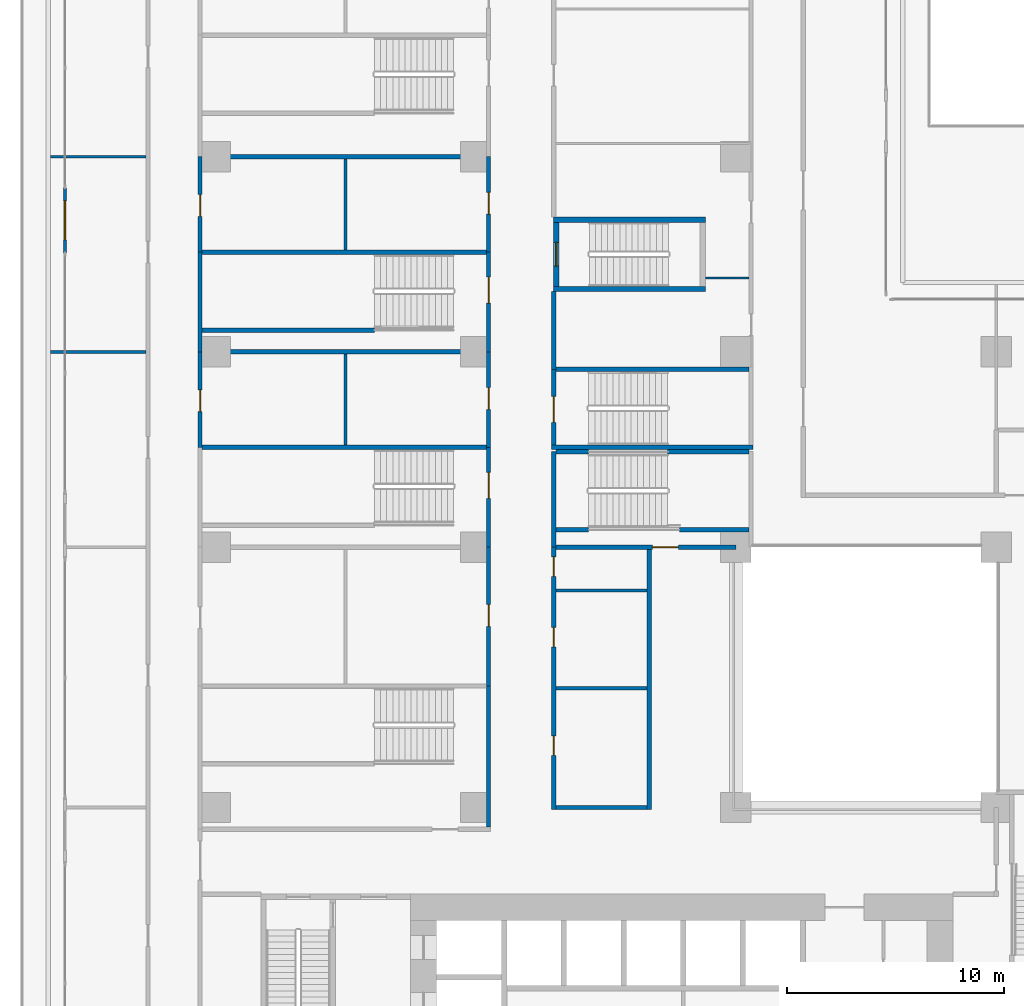
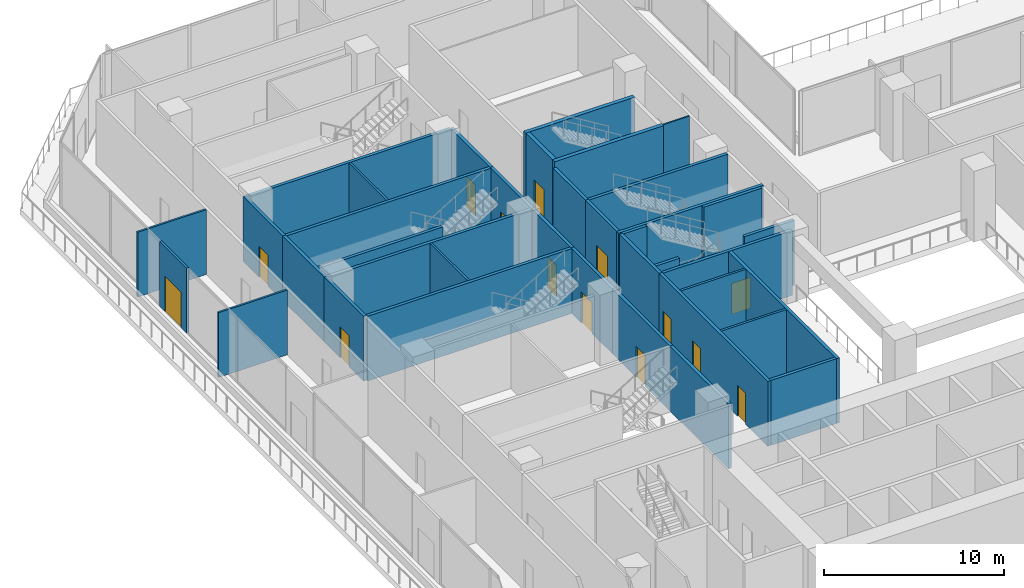
# One storey, part 14 of 25: 38 walls, 14 doors, 14 openings.
"""IFC4 building model written with IfcOpenShell, lengths in metres."""

from ifc_helpers import new_model, si_unit, direction, frame, frame_2d, origin, place, context, subcontext, project, spatial, rectangle, extrude, material, layer, layer_set, type_object, element, fill, save


model = new_model("IFC4")

# Units and contexts
model_context = context("Model", 3, precision=1e-05, world=origin(), true_north=direction((0.0, 1.0)))
body_context = subcontext(model_context, "Body", "Model", "MODEL_VIEW")
ifc_project = project(units=[si_unit("LENGTHUNIT", "METRE"), si_unit("AREAUNIT", "SQUARE_METRE"), si_unit("VOLUMEUNIT", "CUBIC_METRE"), si_unit("PLANEANGLEUNIT", "RADIAN"), si_unit("MASSUNIT", "GRAM", prefix="KILO")], contexts=[model_context])

# Site, building, storey
site_placement = place(None, origin())
site = spatial("IfcSite", under=ifc_project, at=site_placement, CompositionType="ELEMENT")
building_placement = place(site_placement, origin())
building = spatial("IfcBuilding", under=site, at=building_placement, Name="Chenar Terraces", CompositionType="ELEMENT")
storey_placement = place(building_placement, frame((0.0, 0.0, 21.60009765625)))
storey = spatial("IfcBuildingStorey", under=building, at=storey_placement, Name="L04", CompositionType="ELEMENT", Elevation=21.60009765625)

# Walls
ifc_material_1 = material(Name="Gypsum board on steel studs with mineral wool", Category="steel")
ifc_layer_1 = layer(ifc_material_1, 0.125)
ifc_layer_set_1 = layer_set([ifc_layer_1], Name="Gypsum board on steel studs with mineral wool")
wall_type_1 = type_object("IfcWallType", Name="Acoustic partition 125", PredefinedType="PARTITIONING", material=ifc_layer_set_1)
for number, where, z_axis, x_axis, name in (
    (1, (-7.60009765625, 45.0, 0.0), (0.0, 0.0, 1.0), (1.0, 0.0, 0.0), "Partition L04-001"),
    (2, (-7.60009765625, 54.0, 0.0), (0.0, 0.0, 1.0), (1.0, 0.0, 0.0), "Partition L04-002"),
):
    element("IfcWall", number, at=place(storey_placement, frame(where, z_axis=z_axis, x_axis=x_axis)), inside=storey, type_object=wall_type_1, Name=name, PredefinedType="PARTITIONING", context=body_context, shape_type="SweptSolid", body=[
        extrude(rectangle(XDim=4.400146484375, YDim=0.125, at=frame_2d((2.2001953125, 0.0))), origin(), (0.0, 0.0, 1.0), 4.39990234375),
    ])
for number, where, z_axis, x_axis, name in (
    (3, (6.0, 40.699951171875, 0.0), (0.0, 0.0, 1.0), (0.0, 1.0, 0.0), "Partition L04-032"),
    (4, (6.0, 49.699951171875, 0.0), (0.0, 0.0, 1.0), (0.0, 1.0, 0.0), "Partition L04-033"),
):
    element("IfcWall", number, at=place(storey_placement, frame(where, z_axis=z_axis, x_axis=x_axis)), inside=storey, type_object=wall_type_1, Name=name, PredefinedType="PARTITIONING", context=body_context, shape_type="SweptSolid", body=[
        extrude(rectangle(XDim=4.199951171875, YDim=0.125, at=frame_2d((2.10009765625, 0.0))), origin(), (0.0, 0.0, 1.0), 4.39990234375),
    ])
ifc_material_2 = material(Name="Concrete C70/85", Category="concrete")
ifc_layer_2 = layer(ifc_material_2, 0.25)
ifc_layer_set_2 = layer_set([ifc_layer_2], Name="Concrete C70/85")
wall_type_2 = type_object("IfcWallType", Name="Core wall 250 Concrete C70/85", PredefinedType="SHEAR", material=ifc_layer_set_2)
for number, where, z_axis, x_axis, name in (
    (5, (15.60009765625, 47.89990234375, 0.0), (0.0, 0.0, 1.0), (1.0, 0.0, 0.0), "Core wall ST4_S L04"),
    (6, (15.60009765625, 51.10009765625, 0.0), (0.0, 0.0, 1.0), (1.0, 0.0, 0.0), "Core wall ST4_N L04"),
):
    element("IfcWall", number, at=place(storey_placement, frame(where, z_axis=z_axis, x_axis=x_axis)), inside=storey, type_object=wall_type_2, Name=name, PredefinedType="SHEAR", context=body_context, shape_type="SweptSolid", body=[
        extrude(rectangle(XDim=7.0, YDim=0.25, at=frame_2d((3.5, 0.0))), origin(), (0.0, 0.0, 1.0), 4.7998046875),
    ])

# Wall, opening, door
wall_1_placement = place(storey_placement, frame((15.72509765625, 48.02490234375, 0.0), z_axis=(0.0, 0.0, 1.0), x_axis=(0.0, 1.0, 0.0)))
wall_1 = element("IfcWall", 7, at=wall_1_placement, inside=storey, type_object=wall_type_2, Name="Core wall ST4_W L04", PredefinedType="SHEAR", context=body_context, shape_type="SweptSolid", body=[
    extrude(rectangle(XDim=2.9501953125, YDim=0.25, at=frame_2d((1.47509765625, 0.0))), origin(), (0.0, 0.0, 1.0), 4.7998046875),
])
opening_1_placement = place(wall_1_placement, frame((0.925048828125, 0.0, 0.0)))
opening_1 = element("IfcOpeningElement", 8, at=opening_1_placement, cuts=wall_1, Name="Opening DL04-C9", PredefinedType="OPENING", context=body_context, shape_type="SweptSolid", body=[
    extrude(rectangle(XDim=1.10009765625, YDim=2.199951171875, at=frame_2d((0.550048828125, 1.10009765625))), frame((0.0, 0.135009765625, 0.0), z_axis=(0.0, -1.0, 0.0), x_axis=(1.0, 0.0, 0.0)), (0.0, 0.0, 1.0), 0.27001953125),
])
ifc_material_3 = material(Name="Steel-framed fire-resisting door leaf", Category="steel")
door_type_1 = type_object("IfcDoorType", Name="Stair fire door FD60 1100 x 2200", OperationType="SINGLE_SWING_LEFT", PredefinedType="DOOR", material=ifc_material_3)
door_1_placement = place(opening_1_placement, frame((1.10009765625, 0.0, 0.0), z_axis=(0.0, 0.0, 1.0), x_axis=(-1.0, 0.0, 0.0)))
door_1 = element("IfcDoor", 9, at=door_1_placement, inside=storey, type_object=door_type_1, Name="Stair door DL04-C9", OperationType="SINGLE_SWING_RIGHT", OverallHeight=2.199951171875, OverallWidth=1.10009765625, PredefinedType="DOOR", context=body_context, shape_type="SweptSolid", body=[
    extrude(rectangle(XDim=1.10009765625, YDim=2.199951171875, at=frame_2d((0.550048828125, 1.10009765625))), frame((0.0, 0.02490234375, 0.0), z_axis=(0.0, -1.0, 0.0), x_axis=(1.0, 0.0, 0.0)), (0.0, 0.0, 1.0), 0.050048828125),
])
fill(opening_1, door_1)

ifc_material_4 = material(Name="Gypsum board on steel studs with fire boards", Category="steel")
ifc_layer_3 = layer(ifc_material_4, 0.199951171875)
ifc_layer_set_3 = layer_set([ifc_layer_3], Name="Gypsum board on steel studs with fire boards")
wall_type_3 = type_object("IfcWallType", Name="Corridor wall 200", PredefinedType="PARTITIONING", material=ifc_layer_set_3)
wall_2_placement = place(storey_placement, frame((-0.699951171875, 40.60009765625, 0.0), z_axis=(0.0, 0.0, 1.0), x_axis=(0.0, 1.0, 0.0)))
wall_2 = element("IfcWall", 10, at=wall_2_placement, inside=storey, type_object=wall_type_3, Name="Partition L04-011", PredefinedType="PARTITIONING", context=body_context, shape_type="SweptSolid", body=[
    extrude(rectangle(XDim=4.39990234375, YDim=0.199951171875, at=frame_2d((2.199951171875, 0.0))), origin(), (0.0, 0.0, 1.0), 4.39990234375),
])
opening_2_placement = place(wall_2_placement, frame((1.64990234375, 0.0, 0.0)))
opening_2 = element("IfcOpeningElement", 11, at=opening_2_placement, cuts=wall_2, Name="Opening DL04-28", PredefinedType="OPENING", context=body_context, shape_type="SweptSolid", body=[
    extrude(rectangle(XDim=1.0, YDim=2.10009765625, at=frame_2d((0.5, 1.050048828125))), frame((0.0, 0.10986328125, 0.0), z_axis=(0.0, -1.0, 0.0), x_axis=(1.0, 0.0, 0.0)), (0.0, 0.0, 1.0), 0.219970703125),
])
ifc_material_5 = material(Name="Steel-framed fire-resisting door leaf", Category="steel")
door_type_2 = type_object("IfcDoorType", Name="Fire door FD60 1000 x 2100", OperationType="SINGLE_SWING_LEFT", PredefinedType="DOOR", material=ifc_material_5)
door_2_placement = place(opening_2_placement, frame((1.0, 0.0, 0.0), z_axis=(0.0, 0.0, 1.0), x_axis=(-1.0, 0.0, 0.0)))
door_2 = element("IfcDoor", 12, at=door_2_placement, inside=storey, type_object=door_type_2, Name="Door DL04-28", OperationType="SINGLE_SWING_LEFT", OverallHeight=2.10009765625, OverallWidth=1.0, PredefinedType="DOOR", context=body_context, shape_type="SweptSolid", body=[
    extrude(rectangle(XDim=1.0, YDim=2.10009765625, at=frame_2d((0.5, 1.050048828125))), frame((0.0, 0.02490234375, 0.0), z_axis=(0.0, -1.0, 0.0), x_axis=(1.0, 0.0, 0.0)), (0.0, 0.0, 1.0), 0.050048828125),
])
fill(opening_2, door_2)

wall_3_placement = place(storey_placement, frame((-0.699951171875, 49.60009765625, 0.0), z_axis=(0.0, 0.0, 1.0), x_axis=(0.0, 1.0, 0.0)))
wall_3 = element("IfcWall", 13, at=wall_3_placement, inside=storey, type_object=wall_type_3, Name="Partition L04-013", PredefinedType="PARTITIONING", context=body_context, shape_type="SweptSolid", body=[
    extrude(rectangle(XDim=4.39990234375, YDim=0.199951171875, at=frame_2d((2.199951171875, 0.0))), origin(), (0.0, 0.0, 1.0), 4.39990234375),
])
opening_3_placement = place(wall_3_placement, frame((1.64990234375, 0.0, 0.0)))
opening_3 = element("IfcOpeningElement", 14, at=opening_3_placement, cuts=wall_3, Name="Opening DL04-29", PredefinedType="OPENING", context=body_context, shape_type="SweptSolid", body=[
    extrude(rectangle(XDim=1.0, YDim=2.10009765625, at=frame_2d((0.5, 1.050048828125))), frame((0.0, 0.10986328125, 0.0), z_axis=(0.0, -1.0, 0.0), x_axis=(1.0, 0.0, 0.0)), (0.0, 0.0, 1.0), 0.219970703125),
])
door_3_placement = place(opening_3_placement, frame((1.0, 0.0, 0.0), z_axis=(0.0, 0.0, 1.0), x_axis=(-1.0, 0.0, 0.0)))
door_3 = element("IfcDoor", 15, at=door_3_placement, inside=storey, type_object=door_type_2, Name="Door DL04-29", OperationType="SINGLE_SWING_LEFT", OverallHeight=2.10009765625, OverallWidth=1.0, PredefinedType="DOOR", context=body_context, shape_type="SweptSolid", body=[
    extrude(rectangle(XDim=1.0, YDim=2.10009765625, at=frame_2d((0.5, 1.050048828125))), frame((0.0, 0.02490234375, 0.0), z_axis=(0.0, -1.0, 0.0), x_axis=(1.0, 0.0, 0.0)), (0.0, 0.0, 1.0), 0.050048828125),
])
fill(opening_3, door_3)

wall_4_placement = place(storey_placement, frame((12.60009765625, 29.60009765625, 0.0), z_axis=(0.0, 0.0, 1.0), x_axis=(0.0, 1.0, 0.0)))
wall_4 = element("IfcWall", 16, at=wall_4_placement, inside=storey, type_object=wall_type_3, Name="Partition L04-039", PredefinedType="PARTITIONING", context=body_context, shape_type="SweptSolid", body=[
    extrude(rectangle(XDim=6.39990234375, YDim=0.199951171875, at=frame_2d((3.199951171875, 0.0))), origin(), (0.0, 0.0, 1.0), 4.39990234375),
])
opening_4_placement = place(wall_4_placement, frame((2.75, 0.0, 0.0)))
opening_4 = element("IfcOpeningElement", 17, at=opening_4_placement, cuts=wall_4, Name="Opening DL04-12", PredefinedType="OPENING", context=body_context, shape_type="SweptSolid", body=[
    extrude(rectangle(XDim=1.0, YDim=2.10009765625, at=frame_2d((0.5, 1.050048828125))), frame((0.0, 0.10986328125, 0.0), z_axis=(0.0, -1.0, 0.0), x_axis=(1.0, 0.0, 0.0)), (0.0, 0.0, 1.0), 0.219970703125),
])
door_4_placement = place(opening_4_placement, origin())
door_4 = element("IfcDoor", 18, at=door_4_placement, inside=storey, type_object=door_type_2, Name="Door DL04-12", OperationType="SINGLE_SWING_RIGHT", OverallHeight=2.10009765625, OverallWidth=1.0, PredefinedType="DOOR", context=body_context, shape_type="SweptSolid", body=[
    extrude(rectangle(XDim=1.0, YDim=2.10009765625, at=frame_2d((0.5, 1.050048828125))), frame((0.0, 0.02490234375, 0.0), z_axis=(0.0, -1.0, 0.0), x_axis=(1.0, 0.0, 0.0)), (0.0, 0.0, 1.0), 0.050048828125),
])
fill(opening_4, door_4)

wall_5_placement = place(storey_placement, frame((12.60009765625, 40.60009765625, 0.0), z_axis=(0.0, 0.0, 1.0), x_axis=(0.0, 1.0, 0.0)))
wall_5 = element("IfcWall", 19, at=wall_5_placement, inside=storey, type_object=wall_type_3, Name="Partition L04-041", PredefinedType="PARTITIONING", context=body_context, shape_type="SweptSolid", body=[
    extrude(rectangle(XDim=4.39990234375, YDim=0.199951171875, at=frame_2d((2.199951171875, 0.0))), origin(), (0.0, 0.0, 1.0), 4.39990234375),
])
opening_5_placement = place(wall_5_placement, frame((1.75, 0.0, 0.0)))
opening_5 = element("IfcOpeningElement", 20, at=opening_5_placement, cuts=wall_5, Name="Opening DL04-13", PredefinedType="OPENING", context=body_context, shape_type="SweptSolid", body=[
    extrude(rectangle(XDim=1.0, YDim=2.10009765625, at=frame_2d((0.5, 1.050048828125))), frame((0.0, 0.10986328125, 0.0), z_axis=(0.0, -1.0, 0.0), x_axis=(1.0, 0.0, 0.0)), (0.0, 0.0, 1.0), 0.219970703125),
])
door_5_placement = place(opening_5_placement, origin())
door_5 = element("IfcDoor", 21, at=door_5_placement, inside=storey, type_object=door_type_2, Name="Door DL04-13", OperationType="SINGLE_SWING_RIGHT", OverallHeight=2.10009765625, OverallWidth=1.0, PredefinedType="DOOR", context=body_context, shape_type="SweptSolid", body=[
    extrude(rectangle(XDim=1.0, YDim=2.10009765625, at=frame_2d((0.5, 1.050048828125))), frame((0.0, 0.02490234375, 0.0), z_axis=(0.0, -1.0, 0.0), x_axis=(1.0, 0.0, 0.0)), (0.0, 0.0, 1.0), 0.050048828125),
])
fill(opening_5, door_5)

wall_6_placement = place(storey_placement, frame((12.60009765625, 49.60009765625, 0.0), z_axis=(0.0, 0.0, 1.0), x_axis=(0.0, 1.0, 0.0)))
wall_6 = element("IfcWall", 22, at=wall_6_placement, inside=storey, type_object=wall_type_3, Name="Partition L04-043", PredefinedType="PARTITIONING", context=body_context, shape_type="SweptSolid", body=[
    extrude(rectangle(XDim=4.39990234375, YDim=0.199951171875, at=frame_2d((2.199951171875, 0.0))), origin(), (0.0, 0.0, 1.0), 4.39990234375),
])
opening_6_placement = place(wall_6_placement, frame((1.75, 0.0, 0.0)))
opening_6 = element("IfcOpeningElement", 23, at=opening_6_placement, cuts=wall_6, Name="Opening DL04-14", PredefinedType="OPENING", context=body_context, shape_type="SweptSolid", body=[
    extrude(rectangle(XDim=1.0, YDim=2.10009765625, at=frame_2d((0.5, 1.050048828125))), frame((0.0, 0.10986328125, 0.0), z_axis=(0.0, -1.0, 0.0), x_axis=(1.0, 0.0, 0.0)), (0.0, 0.0, 1.0), 0.219970703125),
])
door_6_placement = place(opening_6_placement, origin())
door_6 = element("IfcDoor", 24, at=door_6_placement, inside=storey, type_object=door_type_2, Name="Door DL04-14", OperationType="SINGLE_SWING_RIGHT", OverallHeight=2.10009765625, OverallWidth=1.0, PredefinedType="DOOR", context=body_context, shape_type="SweptSolid", body=[
    extrude(rectangle(XDim=1.0, YDim=2.10009765625, at=frame_2d((0.5, 1.050048828125))), frame((0.0, 0.02490234375, 0.0), z_axis=(0.0, -1.0, 0.0), x_axis=(1.0, 0.0, 0.0)), (0.0, 0.0, 1.0), 0.050048828125),
])
fill(opening_6, door_6)

# Wall, openings, doors
wall_7_placement = place(storey_placement, frame((15.60009765625, 23.89990234375, 0.0), z_axis=(0.0, 0.0, 1.0), x_axis=(0.0, 1.0, 0.0)))
wall_7 = element("IfcWall", 25, at=wall_7_placement, inside=storey, type_object=wall_type_3, Name="Partition L04-047", PredefinedType="PARTITIONING", context=body_context, shape_type="SweptSolid", body=[
    extrude(rectangle(XDim=12.10009765625, YDim=0.199951171875, at=frame_2d((6.050048828125, 0.0))), origin(), (0.0, 0.0, 1.0), 4.39990234375),
])
opening_7_placement = place(wall_7_placement, frame((10.75, 0.0, 0.0)))
opening_7 = element("IfcOpeningElement", 26, at=opening_7_placement, cuts=wall_7, Name="Opening DL04-63", PredefinedType="OPENING", context=body_context, shape_type="SweptSolid", body=[
    extrude(rectangle(XDim=0.89990234375, YDim=2.10009765625, at=frame_2d((0.449951171875, 1.050048828125))), frame((0.0, 0.10986328125, 0.0), z_axis=(0.0, -1.0, 0.0), x_axis=(1.0, 0.0, 0.0)), (0.0, 0.0, 1.0), 0.219970703125),
])
opening_8_placement = place(wall_7_placement, frame((7.5, 0.0, 0.0)))
opening_8 = element("IfcOpeningElement", 27, at=opening_8_placement, cuts=wall_7, Name="Opening DL04-64", PredefinedType="OPENING", context=body_context, shape_type="SweptSolid", body=[
    extrude(rectangle(XDim=0.89990234375, YDim=2.10009765625, at=frame_2d((0.449951171875, 1.050048828125))), frame((0.0, 0.10986328125, 0.0), z_axis=(0.0, -1.0, 0.0), x_axis=(1.0, 0.0, 0.0)), (0.0, 0.0, 1.0), 0.219970703125),
])
opening_9_placement = place(wall_7_placement, frame((2.5, 0.0, 0.0)))
opening_9 = element("IfcOpeningElement", 28, at=opening_9_placement, cuts=wall_7, Name="Opening DL04-65", PredefinedType="OPENING", context=body_context, shape_type="SweptSolid", body=[
    extrude(rectangle(XDim=0.89990234375, YDim=2.10009765625, at=frame_2d((0.449951171875, 1.050048828125))), frame((0.0, 0.10986328125, 0.0), z_axis=(0.0, -1.0, 0.0), x_axis=(1.0, 0.0, 0.0)), (0.0, 0.0, 1.0), 0.219970703125),
])
ifc_material_6 = material(Name="Steel-framed fire-resisting door leaf", Category="steel")
door_type_3 = type_object("IfcDoorType", Name="Fire door FD60 900 x 2100", OperationType="SINGLE_SWING_LEFT", PredefinedType="DOOR", material=ifc_material_6)
door_7_placement = place(opening_7_placement, frame((0.89990234375, 0.0, 0.0), z_axis=(0.0, 0.0, 1.0), x_axis=(-1.0, 0.0, 0.0)))
door_7 = element("IfcDoor", 29, at=door_7_placement, inside=storey, type_object=door_type_3, Name="Door DL04-63", OperationType="SINGLE_SWING_LEFT", OverallHeight=2.10009765625, OverallWidth=0.89990234375, PredefinedType="DOOR", context=body_context, shape_type="SweptSolid", body=[
    extrude(rectangle(XDim=0.89990234375, YDim=2.10009765625, at=frame_2d((0.449951171875, 1.050048828125))), frame((0.0, 0.02490234375, 0.0), z_axis=(0.0, -1.0, 0.0), x_axis=(1.0, 0.0, 0.0)), (0.0, 0.0, 1.0), 0.050048828125),
])
fill(opening_7, door_7)
door_8_placement = place(opening_8_placement, frame((0.89990234375, 0.0, 0.0), z_axis=(0.0, 0.0, 1.0), x_axis=(-1.0, 0.0, 0.0)))
door_8 = element("IfcDoor", 30, at=door_8_placement, inside=storey, type_object=door_type_3, Name="Door DL04-64", OperationType="SINGLE_SWING_RIGHT", OverallHeight=2.10009765625, OverallWidth=0.89990234375, PredefinedType="DOOR", context=body_context, shape_type="SweptSolid", body=[
    extrude(rectangle(XDim=0.89990234375, YDim=2.10009765625, at=frame_2d((0.449951171875, 1.050048828125))), frame((0.0, 0.02490234375, 0.0), z_axis=(0.0, -1.0, 0.0), x_axis=(1.0, 0.0, 0.0)), (0.0, 0.0, 1.0), 0.050048828125),
])
fill(opening_8, door_8)
door_9_placement = place(opening_9_placement, frame((0.89990234375, 0.0, 0.0), z_axis=(0.0, 0.0, 1.0), x_axis=(-1.0, 0.0, 0.0)))
door_9 = element("IfcDoor", 31, at=door_9_placement, inside=storey, type_object=door_type_3, Name="Door DL04-65", OperationType="SINGLE_SWING_RIGHT", OverallHeight=2.10009765625, OverallWidth=0.89990234375, PredefinedType="DOOR", context=body_context, shape_type="SweptSolid", body=[
    extrude(rectangle(XDim=0.89990234375, YDim=2.10009765625, at=frame_2d((0.449951171875, 1.050048828125))), frame((0.0, 0.02490234375, 0.0), z_axis=(0.0, -1.0, 0.0), x_axis=(1.0, 0.0, 0.0)), (0.0, 0.0, 1.0), 0.050048828125),
])
fill(opening_9, door_9)

# Walls
wall_8_placement = place(storey_placement, frame((15.60009765625, 44.199951171875, 0.0), z_axis=(0.0, 0.0, 1.0), x_axis=(0.0, 1.0, 0.0)))
element("IfcWall", 32, at=wall_8_placement, inside=storey, type_object=wall_type_3, Name="Partition L04-050", PredefinedType="PARTITIONING", context=body_context, shape_type="SweptSolid", body=[
    extrude(rectangle(XDim=3.574951171875, YDim=0.199951171875, at=frame_2d((1.78759765625, 0.0))), origin(), (0.0, 0.0, 1.0), 4.39990234375),
])
wall_9_placement = place(storey_placement, frame((15.699951171875, 24.0, 0.0), z_axis=(0.0, 0.0, 1.0), x_axis=(1.0, 0.0, 0.0)))
element("IfcWall", 33, at=wall_9_placement, inside=storey, type_object=wall_type_3, Name="Partition L04-052", PredefinedType="PARTITIONING", context=body_context, shape_type="SweptSolid", body=[
    extrude(rectangle(XDim=4.199951171875, YDim=0.199951171875, at=frame_2d((2.10009765625, 0.0))), origin(), (0.0, 0.0, 1.0), 4.39990234375),
])
wall_10_placement = place(storey_placement, frame((20.0, 23.89990234375, 0.0), z_axis=(0.0, 0.0, 1.0), x_axis=(0.0, 1.0, 0.0)))
element("IfcWall", 34, at=wall_10_placement, inside=storey, type_object=wall_type_3, Name="Partition L04-060", PredefinedType="PARTITIONING", context=body_context, shape_type="SweptSolid", body=[
    extrude(rectangle(XDim=12.0, YDim=0.199951171875, at=frame_2d((6.0, 0.0))), origin(), (0.0, 0.0, 1.0), 4.39990234375),
])
ifc_material_7 = material(Name="Gypsum board on steel studs", Category="steel")
ifc_layer_4 = layer(ifc_material_7, 0.10009765625)
ifc_layer_set_4 = layer_set([ifc_layer_4], Name="Gypsum board on steel studs")
wall_type_4 = type_object("IfcWallType", Name="Gypsum partition 100", PredefinedType="PARTITIONING", material=ifc_layer_set_4)
wall_11_placement = place(storey_placement, frame((22.60009765625, 48.39990234375, 0.0), z_axis=(0.0, 0.0, 1.0), x_axis=(1.0, 0.0, 0.0)))
element("IfcWall", 35, at=wall_11_placement, inside=storey, type_object=wall_type_4, Name="Partition L04-061", PredefinedType="PARTITIONING", context=body_context, shape_type="SweptSolid", body=[
    extrude(rectangle(XDim=2.0, YDim=0.10009765625, at=frame_2d((1.0, 0.0))), origin(), (0.0, 0.0, 1.0), 4.39990234375),
])

# Wall, opening, door
ifc_material_8 = material(Name="Aluminium framed glazing", Category="aluminium")
ifc_layer_5 = layer(ifc_material_8, 0.14990234375)
ifc_layer_set_5 = layer_set([ifc_layer_5], Name="Aluminium framed glazing")
wall_type_5 = type_object("IfcWallType", Name="Podium glazed wall 150", PredefinedType="SOLIDWALL", material=ifc_layer_set_5)
wall_12_placement = place(storey_placement, frame((-6.925048828125, 52.564208984375, 0.0), z_axis=(0.0, 0.0, 1.0), x_axis=(0.0, -1.0, 0.0)))
wall_12 = element("IfcWall", 36, at=wall_12_placement, inside=storey, type_object=wall_type_5, Name="Podium glazed wall", PredefinedType="SOLIDWALL", context=body_context, shape_type="SweptSolid", body=[
    extrude(rectangle(XDim=3.0, YDim=0.14990234375, at=frame_2d((1.5, 0.0))), origin(), (0.0, 0.0, 1.0), 4.39990234375),
])
opening_10_placement = place(wall_12_placement, frame((0.60009765625, 0.0, 0.0)))
opening_10 = element("IfcOpeningElement", 37, at=opening_10_placement, cuts=wall_12, Name="Opening DL04-T1", PredefinedType="OPENING", context=body_context, shape_type="SweptSolid", body=[
    extrude(rectangle(XDim=1.800048828125, YDim=2.39990234375, at=frame_2d((0.89990234375, 1.199951171875))), frame((0.0, 0.0849609375, 0.0), z_axis=(0.0, -1.0, 0.0), x_axis=(1.0, 0.0, 0.0)), (0.0, 0.0, 1.0), 0.169921875),
])
ifc_material_9 = material(Name="Low emissivity double glazing, aluminium frame", Category="aluminium")
door_type_4 = type_object("IfcDoorType", Name="Terrace glazed double door 1800 x 2400", OperationType="DOUBLE_DOOR_SINGLE_SWING", PredefinedType="DOOR", material=ifc_material_9)
door_10_placement = place(opening_10_placement, origin())
door_10 = element("IfcDoor", 38, at=door_10_placement, inside=storey, type_object=door_type_4, Name="Terrace glazed door", OperationType="DOUBLE_DOOR_SINGLE_SWING", OverallHeight=2.39990234375, OverallWidth=1.800048828125, PredefinedType="DOOR", context=body_context, shape_type="SweptSolid", body=[
    extrude(rectangle(XDim=1.800048828125, YDim=2.39990234375, at=frame_2d((0.89990234375, 1.199951171875))), frame((0.0, 0.02490234375, 0.0), z_axis=(0.0, -1.0, 0.0), x_axis=(1.0, 0.0, 0.0)), (0.0, 0.0, 1.0), 0.050048828125),
])
fill(opening_10, door_10)

# Walls
ifc_material_10 = material(Name="Reinforced concrete C40/50", Category="concrete")
ifc_layer_6 = layer(ifc_material_10, 0.199951171875)
ifc_layer_set_6 = layer_set([ifc_layer_6], Name="Reinforced concrete C40/50")
wall_type_6 = type_object("IfcWallType", Name="Stair enclosure wall 200 concrete", PredefinedType="SOLIDWALL", material=ifc_layer_set_6)
wall_13_placement = place(storey_placement, frame((-0.699951171875, 45.0, 0.0), z_axis=(0.0, 0.0, 1.0), x_axis=(0.0, 1.0, 0.0)))
element("IfcWall", 39, at=wall_13_placement, inside=storey, type_object=wall_type_6, Name="Stair enclosure wall L04-012", PredefinedType="SOLIDWALL", context=body_context, shape_type="SweptSolid", body=[
    extrude(rectangle(XDim=4.60009765625, YDim=0.199951171875, at=frame_2d((2.300048828125, 0.0))), origin(), (0.0, 0.0, 1.0), 4.39990234375),
])
for number, where, z_axis, x_axis, name in (
    (40, (-0.60009765625, 40.60009765625, 0.0), (0.0, 0.0, 1.0), (1.0, 0.0, 0.0), "Stair enclosure wall L04-021"),
    (41, (-0.60009765625, 45.0, 0.0), (0.0, 0.0, 1.0), (1.0, 0.0, 0.0), "Stair enclosure wall L04-022"),
    (42, (-0.60009765625, 49.60009765625, 0.0), (0.0, 0.0, 1.0), (1.0, 0.0, 0.0), "Stair enclosure wall L04-023"),
    (43, (-0.60009765625, 54.0, 0.0), (0.0, 0.0, 1.0), (1.0, 0.0, 0.0), "Stair enclosure wall L04-024"),
):
    element("IfcWall", number, at=place(storey_placement, frame(where, z_axis=z_axis, x_axis=x_axis)), inside=storey, type_object=wall_type_6, Name=name, PredefinedType="SOLIDWALL", context=body_context, shape_type="SweptSolid", body=[
        extrude(rectangle(XDim=13.10009765625, YDim=0.199951171875, at=frame_2d((6.550048828125, 0.0))), origin(), (0.0, 0.0, 1.0), 4.39990234375),
    ])
wall_14_placement = place(storey_placement, frame((12.60009765625, 23.10009765625, 0.0), z_axis=(0.0, 0.0, 1.0), x_axis=(0.0, 1.0, 0.0)))
element("IfcWall", 44, at=wall_14_placement, inside=storey, type_object=wall_type_6, Name="Stair enclosure wall L04-038", PredefinedType="SOLIDWALL", context=body_context, shape_type="SweptSolid", body=[
    extrude(rectangle(XDim=6.5, YDim=0.199951171875, at=frame_2d((3.25, 0.0))), origin(), (0.0, 0.0, 1.0), 4.39990234375),
])

# Wall, opening, door
wall_15_placement = place(storey_placement, frame((12.60009765625, 36.0, 0.0), z_axis=(0.0, 0.0, 1.0), x_axis=(0.0, 1.0, 0.0)))
wall_15 = element("IfcWall", 45, at=wall_15_placement, inside=storey, type_object=wall_type_6, Name="Stair enclosure wall L04-040", PredefinedType="SOLIDWALL", context=body_context, shape_type="SweptSolid", body=[
    extrude(rectangle(XDim=4.60009765625, YDim=0.199951171875, at=frame_2d((2.300048828125, 0.0))), origin(), (0.0, 0.0, 1.0), 4.39990234375),
])
opening_11_placement = place(wall_15_placement, frame((2.25, 0.0, 0.0)))
opening_11 = element("IfcOpeningElement", 46, at=opening_11_placement, cuts=wall_15, Name="Opening DL04-62", PredefinedType="OPENING", context=body_context, shape_type="SweptSolid", body=[
    extrude(rectangle(XDim=1.199951171875, YDim=2.10009765625, at=frame_2d((0.60009765625, 1.050048828125))), frame((0.0, 0.10986328125, 0.0), z_axis=(0.0, -1.0, 0.0), x_axis=(1.0, 0.0, 0.0)), (0.0, 0.0, 1.0), 0.219970703125),
])
ifc_material_11 = material(Name="Steel-framed fire-resisting door leaf", Category="steel")
door_type_5 = type_object("IfcDoorType", Name="Fire door FD120 1200 x 2100", OperationType="SINGLE_SWING_LEFT", PredefinedType="DOOR", material=ifc_material_11)
door_11_placement = place(opening_11_placement, origin())
door_11 = element("IfcDoor", 47, at=door_11_placement, inside=storey, type_object=door_type_5, Name="Door DL04-62", OperationType="SINGLE_SWING_RIGHT", OverallHeight=2.10009765625, OverallWidth=1.199951171875, PredefinedType="DOOR", context=body_context, shape_type="SweptSolid", body=[
    extrude(rectangle(XDim=1.199951171875, YDim=2.10009765625, at=frame_2d((0.60009765625, 1.050048828125))), frame((0.0, 0.02490234375, 0.0), z_axis=(0.0, -1.0, 0.0), x_axis=(1.0, 0.0, 0.0)), (0.0, 0.0, 1.0), 0.050048828125),
])
fill(opening_11, door_11)

wall_16_placement = place(storey_placement, frame((12.60009765625, 45.0, 0.0), z_axis=(0.0, 0.0, 1.0), x_axis=(0.0, 1.0, 0.0)))
wall_16 = element("IfcWall", 48, at=wall_16_placement, inside=storey, type_object=wall_type_6, Name="Stair enclosure wall L04-042", PredefinedType="SOLIDWALL", context=body_context, shape_type="SweptSolid", body=[
    extrude(rectangle(XDim=4.60009765625, YDim=0.199951171875, at=frame_2d((2.300048828125, 0.0))), origin(), (0.0, 0.0, 1.0), 4.39990234375),
])
opening_12_placement = place(wall_16_placement, frame((2.25, 0.0, 0.0)))
opening_12 = element("IfcOpeningElement", 49, at=opening_12_placement, cuts=wall_16, Name="Opening DL04-57", PredefinedType="OPENING", context=body_context, shape_type="SweptSolid", body=[
    extrude(rectangle(XDim=1.199951171875, YDim=2.10009765625, at=frame_2d((0.60009765625, 1.050048828125))), frame((0.0, 0.10986328125, 0.0), z_axis=(0.0, -1.0, 0.0), x_axis=(1.0, 0.0, 0.0)), (0.0, 0.0, 1.0), 0.219970703125),
])
door_12_placement = place(opening_12_placement, origin())
door_12 = element("IfcDoor", 50, at=door_12_placement, inside=storey, type_object=door_type_5, Name="Door DL04-57", OperationType="SINGLE_SWING_RIGHT", OverallHeight=2.10009765625, OverallWidth=1.199951171875, PredefinedType="DOOR", context=body_context, shape_type="SweptSolid", body=[
    extrude(rectangle(XDim=1.199951171875, YDim=2.10009765625, at=frame_2d((0.60009765625, 1.050048828125))), frame((0.0, 0.02490234375, 0.0), z_axis=(0.0, -1.0, 0.0), x_axis=(1.0, 0.0, 0.0)), (0.0, 0.0, 1.0), 0.050048828125),
])
fill(opening_12, door_12)

# Walls
wall_17_placement = place(storey_placement, frame((15.5, 40.60009765625, 0.0), z_axis=(0.0, 0.0, 1.0), x_axis=(1.0, 0.0, 0.0)))
element("IfcWall", 51, at=wall_17_placement, inside=storey, type_object=wall_type_6, Name="Stair enclosure wall L04-046", PredefinedType="SOLIDWALL", context=body_context, shape_type="SweptSolid", body=[
    extrude(rectangle(XDim=9.300048828125, YDim=0.199951171875, at=frame_2d((4.64990234375, 0.0))), origin(), (0.0, 0.0, 1.0), 4.39990234375),
])
wall_18_placement = place(storey_placement, frame((15.60009765625, 36.0, 0.0), z_axis=(0.0, 0.0, 1.0), x_axis=(0.0, 1.0, 0.0)))
element("IfcWall", 52, at=wall_18_placement, inside=storey, type_object=wall_type_6, Name="Stair enclosure wall L04-048", PredefinedType="SOLIDWALL", context=body_context, shape_type="SweptSolid", body=[
    extrude(rectangle(XDim=4.39990234375, YDim=0.199951171875, at=frame_2d((2.199951171875, 0.0))), origin(), (0.0, 0.0, 1.0), 4.39990234375),
])

# Wall, opening, door
wall_19_placement = place(storey_placement, frame((15.60009765625, 40.699951171875, 0.0), z_axis=(0.0, 0.0, 1.0), x_axis=(0.0, 1.0, 0.0)))
wall_19 = element("IfcWall", 53, at=wall_19_placement, inside=storey, type_object=wall_type_6, Name="Stair enclosure wall L04-049", PredefinedType="SOLIDWALL", context=body_context, shape_type="SweptSolid", body=[
    extrude(rectangle(XDim=3.5, YDim=0.199951171875, at=frame_2d((1.75, 0.0))), origin(), (0.0, 0.0, 1.0), 4.39990234375),
])
opening_13_placement = place(wall_19_placement, frame((1.050048828125, 0.0, 0.0)))
opening_13 = element("IfcOpeningElement", 54, at=opening_13_placement, cuts=wall_19, Name="Opening DL04-61", PredefinedType="OPENING", context=body_context, shape_type="SweptSolid", body=[
    extrude(rectangle(XDim=1.199951171875, YDim=2.10009765625, at=frame_2d((0.60009765625, 1.050048828125))), frame((0.0, 0.10986328125, 0.0), z_axis=(0.0, -1.0, 0.0), x_axis=(1.0, 0.0, 0.0)), (0.0, 0.0, 1.0), 0.219970703125),
])
door_13_placement = place(opening_13_placement, frame((1.199951171875, 0.0, 0.0), z_axis=(0.0, 0.0, 1.0), x_axis=(-1.0, 0.0, 0.0)))
door_13 = element("IfcDoor", 55, at=door_13_placement, inside=storey, type_object=door_type_5, Name="Door DL04-61", OperationType="SINGLE_SWING_RIGHT", OverallHeight=2.10009765625, OverallWidth=1.199951171875, PredefinedType="DOOR", context=body_context, shape_type="SweptSolid", body=[
    extrude(rectangle(XDim=1.199951171875, YDim=2.10009765625, at=frame_2d((0.60009765625, 1.050048828125))), frame((0.0, 0.02490234375, 0.0), z_axis=(0.0, -1.0, 0.0), x_axis=(1.0, 0.0, 0.0)), (0.0, 0.0, 1.0), 0.050048828125),
])
fill(opening_13, door_13)

wall_20_placement = place(storey_placement, frame((15.699951171875, 36.0, 0.0), z_axis=(0.0, 0.0, 1.0), x_axis=(1.0, 0.0, 0.0)))
wall_20 = element("IfcWall", 56, at=wall_20_placement, inside=storey, type_object=wall_type_6, Name="Stair enclosure wall L04-055", PredefinedType="SOLIDWALL", context=body_context, shape_type="SweptSolid", body=[
    extrude(rectangle(XDim=8.300048828125, YDim=0.199951171875, at=frame_2d((4.14990234375, 0.0))), origin(), (0.0, 0.0, 1.0), 4.39990234375),
])
opening_14_placement = place(wall_20_placement, frame((4.449951171875, 0.0, 0.0)))
opening_14 = element("IfcOpeningElement", 57, at=opening_14_placement, cuts=wall_20, Name="Opening DL04-60", PredefinedType="OPENING", context=body_context, shape_type="SweptSolid", body=[
    extrude(rectangle(XDim=1.199951171875, YDim=2.10009765625, at=frame_2d((0.60009765625, 1.050048828125))), frame((0.0, 0.10986328125, 0.0), z_axis=(0.0, -1.0, 0.0), x_axis=(1.0, 0.0, 0.0)), (0.0, 0.0, 1.0), 0.219970703125),
])
door_14_placement = place(opening_14_placement, origin())
door_14 = element("IfcDoor", 58, at=door_14_placement, inside=storey, type_object=door_type_5, Name="Door DL04-60", OperationType="SINGLE_SWING_RIGHT", OverallHeight=2.10009765625, OverallWidth=1.199951171875, PredefinedType="DOOR", context=body_context, shape_type="SweptSolid", body=[
    extrude(rectangle(XDim=1.199951171875, YDim=2.10009765625, at=frame_2d((0.60009765625, 1.050048828125))), frame((0.0, 0.02490234375, 0.0), z_axis=(0.0, -1.0, 0.0), x_axis=(1.0, 0.0, 0.0)), (0.0, 0.0, 1.0), 0.050048828125),
])
fill(opening_14, door_14)

# Walls
wall_21_placement = place(storey_placement, frame((15.699951171875, 44.199951171875, 0.0), z_axis=(0.0, 0.0, 1.0), x_axis=(1.0, 0.0, 0.0)))
element("IfcWall", 59, at=wall_21_placement, inside=storey, type_object=wall_type_6, Name="Stair enclosure wall L04-056", PredefinedType="SOLIDWALL", context=body_context, shape_type="SweptSolid", body=[
    extrude(rectangle(XDim=8.900146484375, YDim=0.199951171875, at=frame_2d((4.4501953125, 0.0))), origin(), (0.0, 0.0, 1.0), 4.39990234375),
])
wall_22_placement = place(storey_placement, frame((-0.60009765625, 46.0, 0.0), z_axis=(0.0, 0.0, 1.0), x_axis=(1.0, 0.0, 0.0)))
element("IfcWall", 60, at=wall_22_placement, inside=storey, type_object=wall_type_6, Name="Stair enclosure wall L04-PS4-028", PredefinedType="SOLIDWALL", context=body_context, shape_type="SweptSolid", body=[
    extrude(rectangle(XDim=7.945068359375, YDim=0.199951171875, at=frame_2d((3.97265625, 0.0))), origin(), (0.0, 0.0, 1.0), 4.39990234375),
])
wall_23_placement = place(storey_placement, frame((21.39990234375, 36.800048828125, 0.0), z_axis=(0.0, 0.0, 1.0), x_axis=(1.0, 0.0, 0.0)))
element("IfcWall", 61, at=wall_23_placement, inside=storey, type_object=wall_type_6, Name="Stair enclosure wall L04-PS7-048", PredefinedType="SOLIDWALL", context=body_context, shape_type="SweptSolid", body=[
    extrude(rectangle(XDim=3.2001953125, YDim=0.199951171875, at=frame_2d((1.60009765625, 0.0))), origin(), (0.0, 0.0, 1.0), 4.39990234375),
])
wall_24_placement = place(storey_placement, frame((20.85498046875, 40.39990234375, 0.0), z_axis=(0.0, 0.0, 1.0), x_axis=(1.0, 0.0, 0.0)))
element("IfcWall", 62, at=wall_24_placement, inside=storey, type_object=wall_type_6, Name="Stair enclosure wall L04-PS7-049", PredefinedType="SOLIDWALL", context=body_context, shape_type="SweptSolid", body=[
    extrude(rectangle(XDim=3.7451171875, YDim=0.199951171875, at=frame_2d((1.87255859375, 0.0))), origin(), (0.0, 0.0, 1.0), 4.39990234375),
])
for number, where, z_axis, x_axis, name in (
    (63, (15.699951171875, 36.800048828125, 0.0), (0.0, 0.0, 1.0), (1.0, 0.0, 0.0), "Stair enclosure wall L04-PS7-053"),
    (64, (15.699951171875, 40.39990234375, 0.0), (0.0, 0.0, 1.0), (1.0, 0.0, 0.0), "Stair enclosure wall L04-PS7-059"),
):
    element("IfcWall", number, at=place(storey_placement, frame(where, z_axis=z_axis, x_axis=x_axis)), inside=storey, type_object=wall_type_6, Name=name, PredefinedType="SOLIDWALL", context=body_context, shape_type="SweptSolid", body=[
        extrude(rectangle(XDim=1.51513671875, YDim=0.199951171875, at=frame_2d((0.757568359375, 0.0))), origin(), (0.0, 0.0, 1.0), 4.39990234375),
    ])
ifc_material_12 = material(Name="Moisture-resistant gypsum board on steel studs", Category="steel")
ifc_layer_7 = layer(ifc_material_12, 0.14990234375)
ifc_layer_set_7 = layer_set([ifc_layer_7], Name="Moisture-resistant gypsum board on steel studs")
wall_type_7 = type_object("IfcWallType", Name="Wet-room partition 150", PredefinedType="PARTITIONING", material=ifc_layer_set_7)
for number, where, z_axis, x_axis, name in (
    (65, (15.699951171875, 29.5, 0.0), (0.0, 0.0, 1.0), (1.0, 0.0, 0.0), "Partition L04-053"),
    (66, (15.699951171875, 34.0, 0.0), (0.0, 0.0, 1.0), (1.0, 0.0, 0.0), "Partition L04-054"),
):
    element("IfcWall", number, at=place(storey_placement, frame(where, z_axis=z_axis, x_axis=x_axis)), inside=storey, type_object=wall_type_7, Name=name, PredefinedType="PARTITIONING", context=body_context, shape_type="SweptSolid", body=[
        extrude(rectangle(XDim=4.199951171875, YDim=0.14990234375, at=frame_2d((2.10009765625, 0.0))), origin(), (0.0, 0.0, 1.0), 4.39990234375),
    ])

save(model, "model.ifc")
